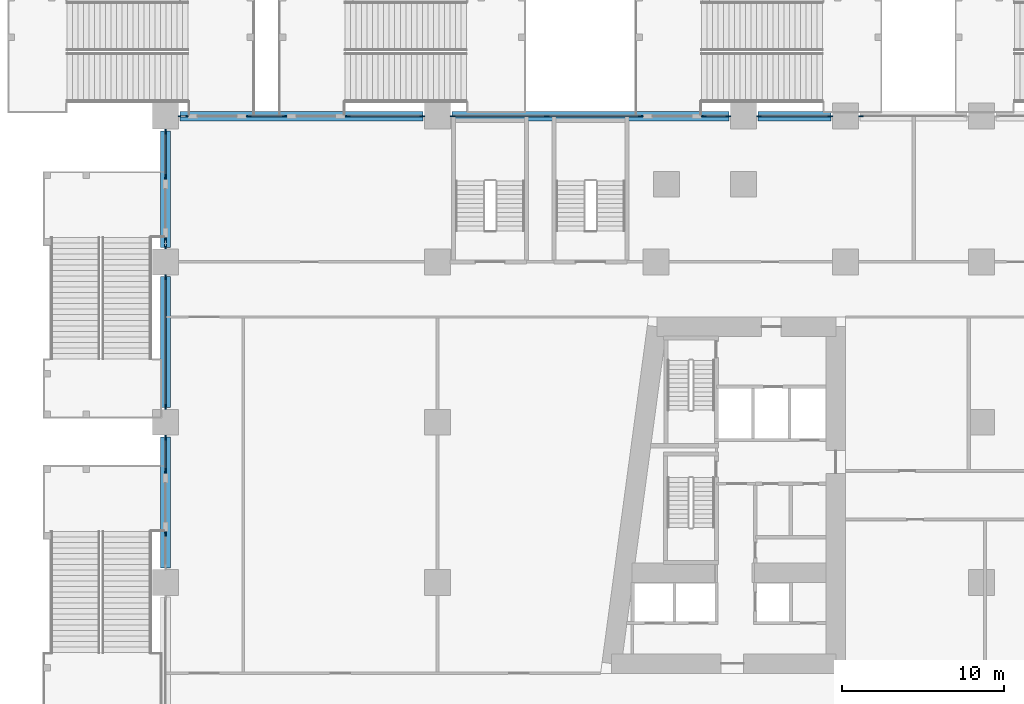
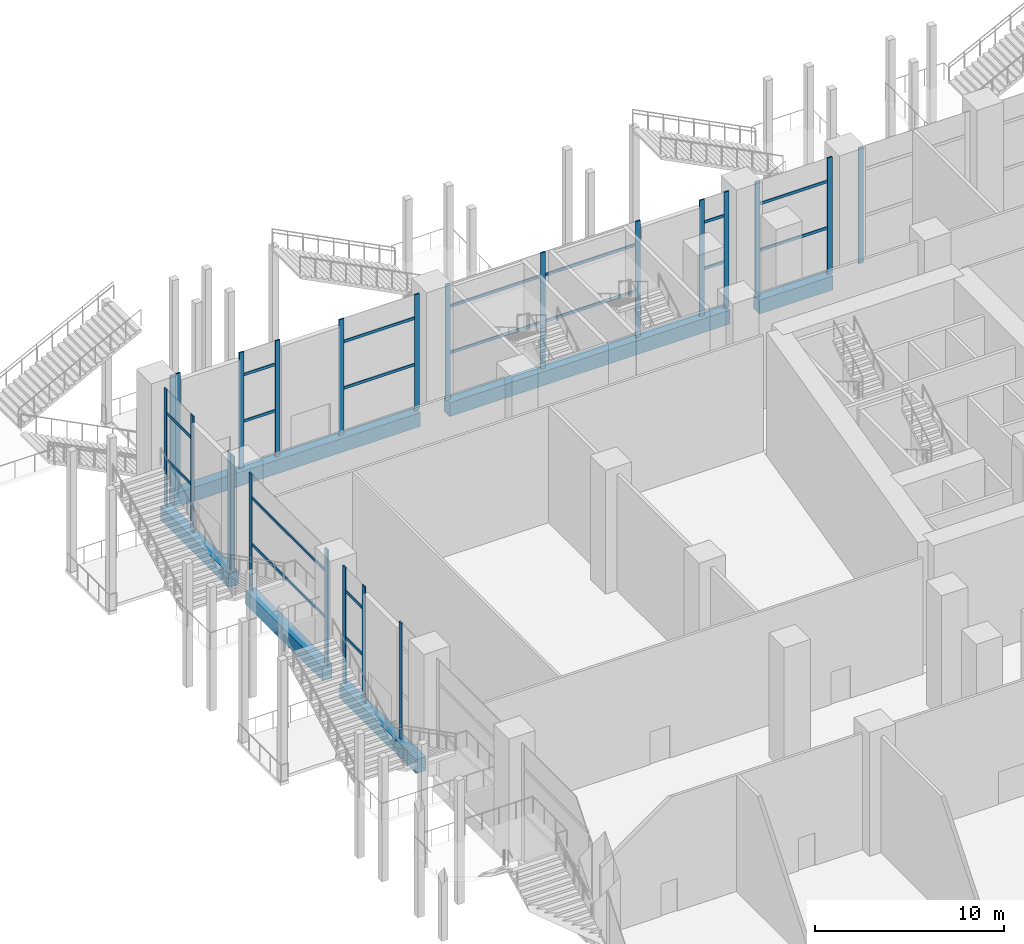
# One storey, part 10 of 52: 41 members, 6 beams, 12 elements without a shape of their own.
"""IFC4 building model written with IfcOpenShell, lengths in metres."""

from ifc_helpers import new_model, si_unit, direction, frame, origin, origin_2d, place, context, subcontext, project, spatial, rectangle, extrude, material, material_profile, profile_set, type_object, element, aggregate, save


model = new_model("IFC4")

# Units and contexts
model_context = context("Model", 3, precision=1e-05, world=origin(), true_north=direction((0.0, 1.0)))
body_context = subcontext(model_context, "Body", "Model", "MODEL_VIEW")
ifc_project = project(units=[si_unit("LENGTHUNIT", "METRE"), si_unit("AREAUNIT", "SQUARE_METRE"), si_unit("VOLUMEUNIT", "CUBIC_METRE"), si_unit("PLANEANGLEUNIT", "RADIAN"), si_unit("MASSUNIT", "GRAM", prefix="KILO")], contexts=[model_context])

# Site, building, storey
site_placement = place(None, origin())
site = spatial("IfcSite", under=ifc_project, at=site_placement, CompositionType="ELEMENT")
building_placement = place(site_placement, origin())
building = spatial("IfcBuilding", under=site, at=building_placement, Name="Candeia Pilgrim Tower and Theatre", CompositionType="ELEMENT")
storey_placement = place(building_placement, frame((0.0, 0.0, 9.0)))
storey = spatial("IfcBuildingStorey", under=building, at=storey_placement, Name="L01", CompositionType="ELEMENT", Elevation=9.0)

# Curtain wall, member
ifc_material_1 = material(Name="Aluminium framed podium glazing", Category="aluminium")
curtain_wall_type = type_object("IfcCurtainWallType", Name="CW-P curtain wall", PredefinedType="NOTDEFINED", material=ifc_material_1)
curtain_wall_1_placement = place(storey_placement, origin())
curtain_wall_1 = element("IfcCurtainWall", 1, at=curtain_wall_1_placement, inside=storey, type_object=curtain_wall_type, Name="Curtain wall CW-P L01.040", PredefinedType="NOTDEFINED")
ifc_material_2 = material(Name="Anodised aluminium", Category="aluminium")
ifc_material_profile_1 = material_profile(ifc_material_2, rectangle(XDim=0.080078125, YDim=0.300048828125, at=origin_2d()))
ifc_profile_set_1 = profile_set([ifc_material_profile_1], Name="Anodised aluminium")
member_type_1 = type_object("IfcMemberType", Name="CW-P mullion 80x300", PredefinedType="MULLION", material=ifc_profile_set_1)
member_1_placement = place(storey_placement, frame((58.800048828125, 119.0, 0.0), z_axis=(0.0, 0.0, 1.0), x_axis=(-1.0, 0.0, 0.0)))
member_1 = element("IfcMember", 2, at=member_1_placement, type_object=member_type_1, Name="CW-P mullion 2", PredefinedType="MULLION", context=body_context, shape_type="SweptSolid", body=[
    extrude(rectangle(XDim=0.080078125, YDim=0.300048828125, at=origin_2d()), origin(), (0.0, 0.0, 1.0), 7.5),
])
aggregate(curtain_wall_1, [member_1])

# Curtain wall, members
curtain_wall_2_placement = place(storey_placement, origin())
curtain_wall_2 = element("IfcCurtainWall", 3, at=curtain_wall_2_placement, inside=storey, type_object=curtain_wall_type, Name="Curtain wall CW-P L01.041", PredefinedType="NOTDEFINED")
member_2_placement = place(storey_placement, frame((58.800048828125, 122.89990234375, 0.0), z_axis=(0.0, 0.0, 1.0), x_axis=(-1.0, 0.0, 0.0)))
member_2 = element("IfcMember", 4, at=member_2_placement, type_object=member_type_1, Name="CW-P mullion 1", PredefinedType="MULLION", context=body_context, shape_type="SweptSolid", body=[
    extrude(rectangle(XDim=0.080078125, YDim=0.300048828125, at=origin_2d()), origin(), (0.0, 0.0, 1.0), 7.5),
])
member_3_placement = place(storey_placement, frame((58.800048828125, 124.949951171875, 0.0), z_axis=(0.0, 0.0, 1.0), x_axis=(-1.0, 0.0, 0.0)))
member_3 = element("IfcMember", 5, at=member_3_placement, type_object=member_type_1, Name="CW-P mullion 2", PredefinedType="MULLION", context=body_context, shape_type="SweptSolid", body=[
    extrude(rectangle(XDim=0.080078125, YDim=0.300048828125, at=origin_2d()), origin(), (0.0, 0.0, 1.0), 7.5),
])

curtain_wall_3_placement = place(storey_placement, origin())
curtain_wall_3 = element("IfcCurtainWall", 6, at=curtain_wall_3_placement, inside=storey, type_object=curtain_wall_type, Name="Curtain wall CW-P L01.050", PredefinedType="NOTDEFINED")
member_4_placement = place(storey_placement, frame((58.800048828125, 126.85009765625, 0.0), z_axis=(0.0, 0.0, 1.0), x_axis=(-1.0, 0.0, 0.0)))
member_4 = element("IfcMember", 7, at=member_4_placement, type_object=member_type_1, Name="CW-P mullion 1", PredefinedType="MULLION", context=body_context, shape_type="SweptSolid", body=[
    extrude(rectangle(XDim=0.080078125, YDim=0.300048828125, at=origin_2d()), origin(), (0.0, 0.0, 1.0), 7.5),
])
member_5_placement = place(storey_placement, frame((58.800048828125, 134.85009765625, 0.0), z_axis=(0.0, 0.0, 1.0), x_axis=(-1.0, 0.0, 0.0)))
member_5 = element("IfcMember", 8, at=member_5_placement, type_object=member_type_1, Name="CW-P mullion 2", PredefinedType="MULLION", context=body_context, shape_type="SweptSolid", body=[
    extrude(rectangle(XDim=0.080078125, YDim=0.300048828125, at=origin_2d()), origin(), (0.0, 0.0, 1.0), 7.5),
])

curtain_wall_4_placement = place(storey_placement, origin())
curtain_wall_4 = element("IfcCurtainWall", 9, at=curtain_wall_4_placement, inside=storey, type_object=curtain_wall_type, Name="Curtain wall CW-P L01.060", PredefinedType="NOTDEFINED")
member_6_placement = place(storey_placement, frame((58.800048828125, 136.75, 0.0), z_axis=(0.0, 0.0, 1.0), x_axis=(-1.0, 0.0, 0.0)))
member_6 = element("IfcMember", 10, at=member_6_placement, type_object=member_type_1, Name="CW-P mullion 1", PredefinedType="MULLION", context=body_context, shape_type="SweptSolid", body=[
    extrude(rectangle(XDim=0.080078125, YDim=0.300048828125, at=origin_2d()), origin(), (0.0, 0.0, 1.0), 7.5),
])
member_7_placement = place(storey_placement, frame((58.800048828125, 137.14990234375, 0.0), z_axis=(0.0, 0.0, 1.0), x_axis=(-1.0, 0.0, 0.0)))
member_7 = element("IfcMember", 11, at=member_7_placement, type_object=member_type_1, Name="CW-P mullion 2", PredefinedType="MULLION", context=body_context, shape_type="SweptSolid", body=[
    extrude(rectangle(XDim=0.080078125, YDim=0.300048828125, at=origin_2d()), origin(), (0.0, 0.0, 1.0), 7.5),
])
aggregate(curtain_wall_4, [member_6, member_7])

curtain_wall_5_placement = place(storey_placement, origin())
curtain_wall_5 = element("IfcCurtainWall", 12, at=curtain_wall_5_placement, inside=storey, type_object=curtain_wall_type, Name="Curtain wall CW-P L01.061", PredefinedType="NOTDEFINED")
member_8_placement = place(storey_placement, frame((58.800048828125, 141.050048828125, 0.0), z_axis=(0.0, 0.0, 1.0), x_axis=(-1.0, 0.0, 0.0)))
member_8 = element("IfcMember", 13, at=member_8_placement, type_object=member_type_1, Name="CW-P mullion 1", PredefinedType="MULLION", context=body_context, shape_type="SweptSolid", body=[
    extrude(rectangle(XDim=0.080078125, YDim=0.300048828125, at=origin_2d()), origin(), (0.0, 0.0, 1.0), 7.5),
])
member_9_placement = place(storey_placement, frame((58.800048828125, 143.85009765625, 0.0), z_axis=(0.0, 0.0, 1.0), x_axis=(-1.0, 0.0, 0.0)))
member_9 = element("IfcMember", 14, at=member_9_placement, type_object=member_type_1, Name="CW-P mullion 2", PredefinedType="MULLION", context=body_context, shape_type="SweptSolid", body=[
    extrude(rectangle(XDim=0.080078125, YDim=0.300048828125, at=origin_2d()), origin(), (0.0, 0.0, 1.0), 7.5),
])

curtain_wall_6_placement = place(storey_placement, origin())
curtain_wall_6 = element("IfcCurtainWall", 15, at=curtain_wall_6_placement, inside=storey, type_object=curtain_wall_type, Name="Curtain wall CW-P L01.100", PredefinedType="NOTDEFINED")
member_10_placement = place(storey_placement, frame((59.75, 144.800048828125, 0.0), z_axis=(0.0, 0.0, 1.0), x_axis=(0.0, 1.0, 0.0)))
member_10 = element("IfcMember", 16, at=member_10_placement, type_object=member_type_1, Name="CW-P mullion 1", PredefinedType="MULLION", context=body_context, shape_type="SweptSolid", body=[
    extrude(rectangle(XDim=0.080078125, YDim=0.300048828125, at=origin_2d()), origin(), (0.0, 0.0, 1.0), 7.5),
])
member_11_placement = place(storey_placement, frame((60.050048828125, 144.800048828125, 0.0), z_axis=(0.0, 0.0, 1.0), x_axis=(0.0, 1.0, 0.0)))
member_11 = element("IfcMember", 17, at=member_11_placement, type_object=member_type_1, Name="CW-P mullion 2", PredefinedType="MULLION", context=body_context, shape_type="SweptSolid", body=[
    extrude(rectangle(XDim=0.080078125, YDim=0.300048828125, at=origin_2d()), origin(), (0.0, 0.0, 1.0), 7.5),
])
aggregate(curtain_wall_6, [member_10, member_11])

curtain_wall_7_placement = place(storey_placement, origin())
curtain_wall_7 = element("IfcCurtainWall", 18, at=curtain_wall_7_placement, inside=storey, type_object=curtain_wall_type, Name="Curtain wall CW-P L01.101", PredefinedType="NOTDEFINED")
member_12_placement = place(storey_placement, frame((63.949951171875, 144.800048828125, 0.0), z_axis=(0.0, 0.0, 1.0), x_axis=(0.0, 1.0, 0.0)))
member_12 = element("IfcMember", 19, at=member_12_placement, type_object=member_type_1, Name="CW-P mullion 1", PredefinedType="MULLION", context=body_context, shape_type="SweptSolid", body=[
    extrude(rectangle(XDim=0.080078125, YDim=0.300048828125, at=origin_2d()), origin(), (0.0, 0.0, 1.0), 7.5),
])
member_13_placement = place(storey_placement, frame((66.14990234375, 144.800048828125, 0.0), z_axis=(0.0, 0.0, 1.0), x_axis=(0.0, 1.0, 0.0)))
member_13 = element("IfcMember", 20, at=member_13_placement, type_object=member_type_1, Name="CW-P mullion 2", PredefinedType="MULLION", context=body_context, shape_type="SweptSolid", body=[
    extrude(rectangle(XDim=0.080078125, YDim=0.300048828125, at=origin_2d()), origin(), (0.0, 0.0, 1.0), 7.5),
])

curtain_wall_8_placement = place(storey_placement, origin())
curtain_wall_8 = element("IfcCurtainWall", 21, at=curtain_wall_8_placement, inside=storey, type_object=curtain_wall_type, Name="Curtain wall CW-P L01.102", PredefinedType="NOTDEFINED")
member_14_placement = place(storey_placement, frame((70.050048828125, 144.800048828125, 0.0), z_axis=(0.0, 0.0, 1.0), x_axis=(0.0, 1.0, 0.0)))
member_14 = element("IfcMember", 22, at=member_14_placement, type_object=member_type_1, Name="CW-P mullion 1", PredefinedType="MULLION", context=body_context, shape_type="SweptSolid", body=[
    extrude(rectangle(XDim=0.080078125, YDim=0.300048828125, at=origin_2d()), origin(), (0.0, 0.0, 1.0), 7.5),
])
member_15_placement = place(storey_placement, frame((74.64990234375, 144.800048828125, 0.0), z_axis=(0.0, 0.0, 1.0), x_axis=(0.0, 1.0, 0.0)))
member_15 = element("IfcMember", 23, at=member_15_placement, type_object=member_type_1, Name="CW-P mullion 2", PredefinedType="MULLION", context=body_context, shape_type="SweptSolid", body=[
    extrude(rectangle(XDim=0.080078125, YDim=0.300048828125, at=origin_2d()), origin(), (0.0, 0.0, 1.0), 7.5),
])

curtain_wall_9_placement = place(storey_placement, origin())
curtain_wall_9 = element("IfcCurtainWall", 24, at=curtain_wall_9_placement, inside=storey, type_object=curtain_wall_type, Name="Curtain wall CW-P L01.110", PredefinedType="NOTDEFINED")
member_16_placement = place(storey_placement, frame((76.550048828125, 144.800048828125, 0.0), z_axis=(0.0, 0.0, 1.0), x_axis=(0.0, 1.0, 0.0)))
member_16 = element("IfcMember", 25, at=member_16_placement, type_object=member_type_1, Name="CW-P mullion 1", PredefinedType="MULLION", context=body_context, shape_type="SweptSolid", body=[
    extrude(rectangle(XDim=0.080078125, YDim=0.300048828125, at=origin_2d()), origin(), (0.0, 0.0, 1.0), 7.5),
])
member_17_placement = place(storey_placement, frame((82.35009765625, 144.800048828125, 0.0), z_axis=(0.0, 0.0, 1.0), x_axis=(0.0, 1.0, 0.0)))
member_17 = element("IfcMember", 26, at=member_17_placement, type_object=member_type_1, Name="CW-P mullion 2", PredefinedType="MULLION", context=body_context, shape_type="SweptSolid", body=[
    extrude(rectangle(XDim=0.080078125, YDim=0.300048828125, at=origin_2d()), origin(), (0.0, 0.0, 1.0), 7.5),
])
member_18_placement = place(storey_placement, frame((88.14990234375, 144.800048828125, 0.0), z_axis=(0.0, 0.0, 1.0), x_axis=(0.0, 1.0, 0.0)))
member_18 = element("IfcMember", 27, at=member_18_placement, type_object=member_type_1, Name="CW-P mullion 3", PredefinedType="MULLION", context=body_context, shape_type="SweptSolid", body=[
    extrude(rectangle(XDim=0.080078125, YDim=0.300048828125, at=origin_2d()), origin(), (0.0, 0.0, 1.0), 7.5),
])

curtain_wall_10_placement = place(storey_placement, origin())
curtain_wall_10 = element("IfcCurtainWall", 28, at=curtain_wall_10_placement, inside=storey, type_object=curtain_wall_type, Name="Curtain wall CW-P L01.111", PredefinedType="NOTDEFINED")
member_19_placement = place(storey_placement, frame((92.050048828125, 144.800048828125, 0.0), z_axis=(0.0, 0.0, 1.0), x_axis=(0.0, 1.0, 0.0)))
member_19 = element("IfcMember", 29, at=member_19_placement, type_object=member_type_1, Name="CW-P mullion 1", PredefinedType="MULLION", context=body_context, shape_type="SweptSolid", body=[
    extrude(rectangle(XDim=0.080078125, YDim=0.300048828125, at=origin_2d()), origin(), (0.0, 0.0, 1.0), 7.5),
])
member_20_placement = place(storey_placement, frame((93.550048828125, 144.800048828125, 0.0), z_axis=(0.0, 0.0, 1.0), x_axis=(0.0, 1.0, 0.0)))
member_20 = element("IfcMember", 30, at=member_20_placement, type_object=member_type_1, Name="CW-P mullion 2", PredefinedType="MULLION", context=body_context, shape_type="SweptSolid", body=[
    extrude(rectangle(XDim=0.080078125, YDim=0.300048828125, at=origin_2d()), origin(), (0.0, 0.0, 1.0), 7.5),
])

curtain_wall_11_placement = place(storey_placement, origin())
curtain_wall_11 = element("IfcCurtainWall", 31, at=curtain_wall_11_placement, inside=storey, type_object=curtain_wall_type, Name="Curtain wall CW-P L01.120", PredefinedType="NOTDEFINED")
member_21_placement = place(storey_placement, frame((95.449951171875, 144.800048828125, 0.0), z_axis=(0.0, 0.0, 1.0), x_axis=(0.0, 1.0, 0.0)))
member_21 = element("IfcMember", 32, at=member_21_placement, type_object=member_type_1, Name="CW-P mullion 1", PredefinedType="MULLION", context=body_context, shape_type="SweptSolid", body=[
    extrude(rectangle(XDim=0.080078125, YDim=0.300048828125, at=origin_2d()), origin(), (0.0, 0.0, 1.0), 7.5),
])
member_22_placement = place(storey_placement, frame((99.85009765625, 144.800048828125, 0.0), z_axis=(0.0, 0.0, 1.0), x_axis=(0.0, 1.0, 0.0)))
member_22 = element("IfcMember", 33, at=member_22_placement, type_object=member_type_1, Name="CW-P mullion 2", PredefinedType="MULLION", context=body_context, shape_type="SweptSolid", body=[
    extrude(rectangle(XDim=0.080078125, YDim=0.300048828125, at=origin_2d()), origin(), (0.0, 0.0, 1.0), 7.5),
])

# Curtain wall, member
curtain_wall_12_placement = place(storey_placement, origin())
curtain_wall_12 = element("IfcCurtainWall", 34, at=curtain_wall_12_placement, inside=storey, type_object=curtain_wall_type, Name="Curtain wall CW-P L01.130", PredefinedType="NOTDEFINED")
member_23_placement = place(storey_placement, frame((101.75, 144.800048828125, 0.0), z_axis=(0.0, 0.0, 1.0), x_axis=(0.0, 1.0, 0.0)))
member_23 = element("IfcMember", 35, at=member_23_placement, type_object=member_type_1, Name="CW-P mullion 1", PredefinedType="MULLION", context=body_context, shape_type="SweptSolid", body=[
    extrude(rectangle(XDim=0.080078125, YDim=0.300048828125, at=origin_2d()), origin(), (0.0, 0.0, 1.0), 7.5),
])
aggregate(curtain_wall_12, [member_23])

# Member
ifc_material_profile_2 = material_profile(ifc_material_2, rectangle(XDim=0.080078125, YDim=0.179931640625, at=origin_2d()))
ifc_profile_set_2 = profile_set([ifc_material_profile_2], Name="Anodised aluminium")
member_type_2 = type_object("IfcMemberType", Name="CW-P transom 80x180", PredefinedType="USERDEFINED", material=ifc_profile_set_2)
member_24_placement = place(storey_placement, frame((58.800048828125, 122.93994140625, 3.0), z_axis=(0.0, 1.0, 0.0), x_axis=(-1.0, 0.0, 0.0)))
member_24 = element("IfcMember", 36, at=member_24_placement, type_object=member_type_2, Name="CW-P transom 1.1", ObjectType="TRANSOM", PredefinedType="USERDEFINED", context=body_context, shape_type="SweptSolid", body=[
    extrude(rectangle(XDim=0.080078125, YDim=0.179931640625, at=origin_2d()), origin(), (0.0, 0.0, 1.0), 1.969970703125),
])

member_25_placement = place(storey_placement, frame((58.800048828125, 122.93994140625, 6.0), z_axis=(0.0, 1.0, 0.0), x_axis=(-1.0, 0.0, 0.0)))
member_25 = element("IfcMember", 37, at=member_25_placement, type_object=member_type_2, Name="CW-P transom 1.2", ObjectType="TRANSOM", PredefinedType="USERDEFINED", context=body_context, shape_type="SweptSolid", body=[
    extrude(rectangle(XDim=0.080078125, YDim=0.179931640625, at=origin_2d()), origin(), (0.0, 0.0, 1.0), 1.969970703125),
])

aggregate(curtain_wall_2, [member_2, member_3, member_24, member_25])

member_26_placement = place(storey_placement, frame((58.800048828125, 126.889892578125, 3.0), z_axis=(0.0, 1.0, 0.0), x_axis=(-1.0, 0.0, 0.0)))
member_26 = element("IfcMember", 38, at=member_26_placement, type_object=member_type_2, Name="CW-P transom 1.1", ObjectType="TRANSOM", PredefinedType="USERDEFINED", context=body_context, shape_type="SweptSolid", body=[
    extrude(rectangle(XDim=0.080078125, YDim=0.179931640625, at=origin_2d()), origin(), (0.0, 0.0, 1.0), 7.920166015625),
])

member_27_placement = place(storey_placement, frame((58.800048828125, 126.889892578125, 6.0), z_axis=(0.0, 1.0, 0.0), x_axis=(-1.0, 0.0, 0.0)))
member_27 = element("IfcMember", 39, at=member_27_placement, type_object=member_type_2, Name="CW-P transom 1.2", ObjectType="TRANSOM", PredefinedType="USERDEFINED", context=body_context, shape_type="SweptSolid", body=[
    extrude(rectangle(XDim=0.080078125, YDim=0.179931640625, at=origin_2d()), origin(), (0.0, 0.0, 1.0), 7.920166015625),
])

aggregate(curtain_wall_3, [member_4, member_5, member_26, member_27])

member_28_placement = place(storey_placement, frame((58.800048828125, 141.090087890625, 3.0), z_axis=(0.0, 1.0, 0.0), x_axis=(-1.0, 0.0, 0.0)))
member_28 = element("IfcMember", 40, at=member_28_placement, type_object=member_type_2, Name="CW-P transom 1.1", ObjectType="TRANSOM", PredefinedType="USERDEFINED", context=body_context, shape_type="SweptSolid", body=[
    extrude(rectangle(XDim=0.080078125, YDim=0.179931640625, at=origin_2d()), origin(), (0.0, 0.0, 1.0), 2.719970703125),
])

member_29_placement = place(storey_placement, frame((58.800048828125, 141.090087890625, 6.0), z_axis=(0.0, 1.0, 0.0), x_axis=(-1.0, 0.0, 0.0)))
member_29 = element("IfcMember", 41, at=member_29_placement, type_object=member_type_2, Name="CW-P transom 1.2", ObjectType="TRANSOM", PredefinedType="USERDEFINED", context=body_context, shape_type="SweptSolid", body=[
    extrude(rectangle(XDim=0.080078125, YDim=0.179931640625, at=origin_2d()), origin(), (0.0, 0.0, 1.0), 2.719970703125),
])

aggregate(curtain_wall_5, [member_8, member_9, member_28, member_29])

member_30_placement = place(storey_placement, frame((63.989990234375, 144.800048828125, 3.0), z_axis=(1.0, 0.0, 0.0), x_axis=(0.0, 1.0, 0.0)))
member_30 = element("IfcMember", 42, at=member_30_placement, type_object=member_type_2, Name="CW-P transom 1.1", ObjectType="TRANSOM", PredefinedType="USERDEFINED", context=body_context, shape_type="SweptSolid", body=[
    extrude(rectangle(XDim=0.080078125, YDim=0.179931640625, at=origin_2d()), origin(), (0.0, 0.0, 1.0), 2.1201171875),
])

member_31_placement = place(storey_placement, frame((63.989990234375, 144.800048828125, 6.0), z_axis=(1.0, 0.0, 0.0), x_axis=(0.0, 1.0, 0.0)))
member_31 = element("IfcMember", 43, at=member_31_placement, type_object=member_type_2, Name="CW-P transom 1.2", ObjectType="TRANSOM", PredefinedType="USERDEFINED", context=body_context, shape_type="SweptSolid", body=[
    extrude(rectangle(XDim=0.080078125, YDim=0.179931640625, at=origin_2d()), origin(), (0.0, 0.0, 1.0), 2.1201171875),
])

aggregate(curtain_wall_7, [member_12, member_13, member_30, member_31])

member_32_placement = place(storey_placement, frame((70.090087890625, 144.800048828125, 3.0), z_axis=(1.0, 0.0, 0.0), x_axis=(0.0, 1.0, 0.0)))
member_32 = element("IfcMember", 44, at=member_32_placement, type_object=member_type_2, Name="CW-P transom 1.1", ObjectType="TRANSOM", PredefinedType="USERDEFINED", context=body_context, shape_type="SweptSolid", body=[
    extrude(rectangle(XDim=0.080078125, YDim=0.179931640625, at=origin_2d()), origin(), (0.0, 0.0, 1.0), 4.52001953125),
])

member_33_placement = place(storey_placement, frame((70.090087890625, 144.800048828125, 6.0), z_axis=(1.0, 0.0, 0.0), x_axis=(0.0, 1.0, 0.0)))
member_33 = element("IfcMember", 45, at=member_33_placement, type_object=member_type_2, Name="CW-P transom 1.2", ObjectType="TRANSOM", PredefinedType="USERDEFINED", context=body_context, shape_type="SweptSolid", body=[
    extrude(rectangle(XDim=0.080078125, YDim=0.179931640625, at=origin_2d()), origin(), (0.0, 0.0, 1.0), 4.52001953125),
])

aggregate(curtain_wall_8, [member_14, member_15, member_32, member_33])

member_34_placement = place(storey_placement, frame((76.590087890625, 144.800048828125, 3.0), z_axis=(1.0, 0.0, 0.0), x_axis=(0.0, 1.0, 0.0)))
member_34 = element("IfcMember", 46, at=member_34_placement, type_object=member_type_2, Name="CW-P transom 1.1", ObjectType="TRANSOM", PredefinedType="USERDEFINED", context=body_context, shape_type="SweptSolid", body=[
    extrude(rectangle(XDim=0.080078125, YDim=0.179931640625, at=origin_2d()), origin(), (0.0, 0.0, 1.0), 5.719970703125),
])

member_35_placement = place(storey_placement, frame((76.590087890625, 144.800048828125, 6.0), z_axis=(1.0, 0.0, 0.0), x_axis=(0.0, 1.0, 0.0)))
member_35 = element("IfcMember", 47, at=member_35_placement, type_object=member_type_2, Name="CW-P transom 1.2", ObjectType="TRANSOM", PredefinedType="USERDEFINED", context=body_context, shape_type="SweptSolid", body=[
    extrude(rectangle(XDim=0.080078125, YDim=0.179931640625, at=origin_2d()), origin(), (0.0, 0.0, 1.0), 5.719970703125),
])

member_36_placement = place(storey_placement, frame((82.389892578125, 144.800048828125, 3.0), z_axis=(1.0, 0.0, 0.0), x_axis=(0.0, 1.0, 0.0)))
member_36 = element("IfcMember", 48, at=member_36_placement, type_object=member_type_2, Name="CW-P transom 2.1", ObjectType="TRANSOM", PredefinedType="USERDEFINED", context=body_context, shape_type="SweptSolid", body=[
    extrude(rectangle(XDim=0.080078125, YDim=0.179931640625, at=origin_2d()), origin(), (0.0, 0.0, 1.0), 5.72021484375),
])

member_37_placement = place(storey_placement, frame((82.389892578125, 144.800048828125, 6.0), z_axis=(1.0, 0.0, 0.0), x_axis=(0.0, 1.0, 0.0)))
member_37 = element("IfcMember", 49, at=member_37_placement, type_object=member_type_2, Name="CW-P transom 2.2", ObjectType="TRANSOM", PredefinedType="USERDEFINED", context=body_context, shape_type="SweptSolid", body=[
    extrude(rectangle(XDim=0.080078125, YDim=0.179931640625, at=origin_2d()), origin(), (0.0, 0.0, 1.0), 5.72021484375),
])

aggregate(curtain_wall_9, [member_16, member_17, member_18, member_34, member_35, member_36, member_37])

member_38_placement = place(storey_placement, frame((92.090087890625, 144.800048828125, 3.0), z_axis=(1.0, 0.0, 0.0), x_axis=(0.0, 1.0, 0.0)))
member_38 = element("IfcMember", 50, at=member_38_placement, type_object=member_type_2, Name="CW-P transom 1.1", ObjectType="TRANSOM", PredefinedType="USERDEFINED", context=body_context, shape_type="SweptSolid", body=[
    extrude(rectangle(XDim=0.080078125, YDim=0.179931640625, at=origin_2d()), origin(), (0.0, 0.0, 1.0), 1.419921875),
])

member_39_placement = place(storey_placement, frame((92.090087890625, 144.800048828125, 6.0), z_axis=(1.0, 0.0, 0.0), x_axis=(0.0, 1.0, 0.0)))
member_39 = element("IfcMember", 51, at=member_39_placement, type_object=member_type_2, Name="CW-P transom 1.2", ObjectType="TRANSOM", PredefinedType="USERDEFINED", context=body_context, shape_type="SweptSolid", body=[
    extrude(rectangle(XDim=0.080078125, YDim=0.179931640625, at=origin_2d()), origin(), (0.0, 0.0, 1.0), 1.419921875),
])

aggregate(curtain_wall_10, [member_19, member_20, member_38, member_39])

member_40_placement = place(storey_placement, frame((95.489990234375, 144.800048828125, 3.0), z_axis=(1.0, 0.0, 0.0), x_axis=(0.0, 1.0, 0.0)))
member_40 = element("IfcMember", 52, at=member_40_placement, type_object=member_type_2, Name="CW-P transom 1.1", ObjectType="TRANSOM", PredefinedType="USERDEFINED", context=body_context, shape_type="SweptSolid", body=[
    extrude(rectangle(XDim=0.080078125, YDim=0.179931640625, at=origin_2d()), origin(), (0.0, 0.0, 1.0), 4.320068359375),
])

member_41_placement = place(storey_placement, frame((95.489990234375, 144.800048828125, 6.0), z_axis=(1.0, 0.0, 0.0), x_axis=(0.0, 1.0, 0.0)))
member_41 = element("IfcMember", 53, at=member_41_placement, type_object=member_type_2, Name="CW-P transom 1.2", ObjectType="TRANSOM", PredefinedType="USERDEFINED", context=body_context, shape_type="SweptSolid", body=[
    extrude(rectangle(XDim=0.080078125, YDim=0.179931640625, at=origin_2d()), origin(), (0.0, 0.0, 1.0), 4.320068359375),
])

aggregate(curtain_wall_11, [member_21, member_22, member_40, member_41])

# Beams
ifc_material_3 = material(Name="Concrete C80/95", Category="concrete")
ifc_material_profile_3 = material_profile(ifc_material_3, rectangle(XDim=0.60009765625, YDim=0.89990234375, at=origin_2d()))
ifc_profile_set_3 = profile_set([ifc_material_profile_3], Name="Concrete C80/95")
beam_type = type_object("IfcBeamType", Name="RC 600x900 C80/95", PredefinedType="BEAM", material=ifc_profile_set_3)
beam_1_placement = place(storey_placement, frame((99.89990234375, 144.800048828125, -0.449951171875), z_axis=(-1.0, 0.0, 0.0), x_axis=(0.0, -1.0, 0.0)))
element("IfcBeam", 54, at=beam_1_placement, inside=storey, type_object=beam_type, Name="Spandrel beam L01-13", PredefinedType="BEAM", context=body_context, shape_type="SweptSolid", body=[
    extrude(rectangle(XDim=0.60009765625, YDim=0.89990234375, at=origin_2d()), origin(), (0.0, 0.0, 1.0), 4.5),
])
beam_2_placement = place(storey_placement, frame((93.60009765625, 144.800048828125, -0.449951171875), z_axis=(-1.0, 0.0, 0.0), x_axis=(0.0, -1.0, 0.0)))
element("IfcBeam", 55, at=beam_2_placement, inside=storey, type_object=beam_type, Name="Spandrel beam L01-14", PredefinedType="BEAM", context=body_context, shape_type="SweptSolid", body=[
    extrude(rectangle(XDim=0.60009765625, YDim=0.89990234375, at=origin_2d()), origin(), (0.0, 0.0, 1.0), 17.10009765625),
])
beam_3_placement = place(storey_placement, frame((74.699951171875, 144.800048828125, -0.449951171875), z_axis=(-1.0, 0.0, 0.0), x_axis=(0.0, -1.0, 0.0)))
element("IfcBeam", 56, at=beam_3_placement, inside=storey, type_object=beam_type, Name="Spandrel beam L01-15", PredefinedType="BEAM", context=body_context, shape_type="SweptSolid", body=[
    extrude(rectangle(XDim=0.60009765625, YDim=0.89990234375, at=origin_2d()), origin(), (0.0, 0.0, 1.0), 15.0),
])
beam_4_placement = place(storey_placement, frame((58.800048828125, 143.89990234375, -0.449951171875), z_axis=(0.0, -1.0, 0.0), x_axis=(1.0, 0.0, 0.0)))
element("IfcBeam", 57, at=beam_4_placement, inside=storey, type_object=beam_type, Name="Spandrel beam L01-16", PredefinedType="BEAM", context=body_context, shape_type="SweptSolid", body=[
    extrude(rectangle(XDim=0.60009765625, YDim=0.89990234375, at=origin_2d()), origin(), (0.0, 0.0, 1.0), 7.199951171875),
])
beam_5_placement = place(storey_placement, frame((58.800048828125, 134.89990234375, -0.449951171875), z_axis=(0.0, -1.0, 0.0), x_axis=(1.0, 0.0, 0.0)))
element("IfcBeam", 58, at=beam_5_placement, inside=storey, type_object=beam_type, Name="Spandrel beam L01-17", PredefinedType="BEAM", context=body_context, shape_type="SweptSolid", body=[
    extrude(rectangle(XDim=0.60009765625, YDim=0.89990234375, at=origin_2d()), origin(), (0.0, 0.0, 1.0), 8.099853515625),
])
beam_6_placement = place(storey_placement, frame((58.800048828125, 125.0, -0.449951171875), z_axis=(0.0, -1.0, 0.0), x_axis=(1.0, 0.0, 0.0)))
element("IfcBeam", 59, at=beam_6_placement, inside=storey, type_object=beam_type, Name="Spandrel beam L01-18", PredefinedType="BEAM", context=body_context, shape_type="SweptSolid", body=[
    extrude(rectangle(XDim=0.60009765625, YDim=0.89990234375, at=origin_2d()), origin(), (0.0, 0.0, 1.0), 8.10009765625),
])

save(model, "model.ifc")
